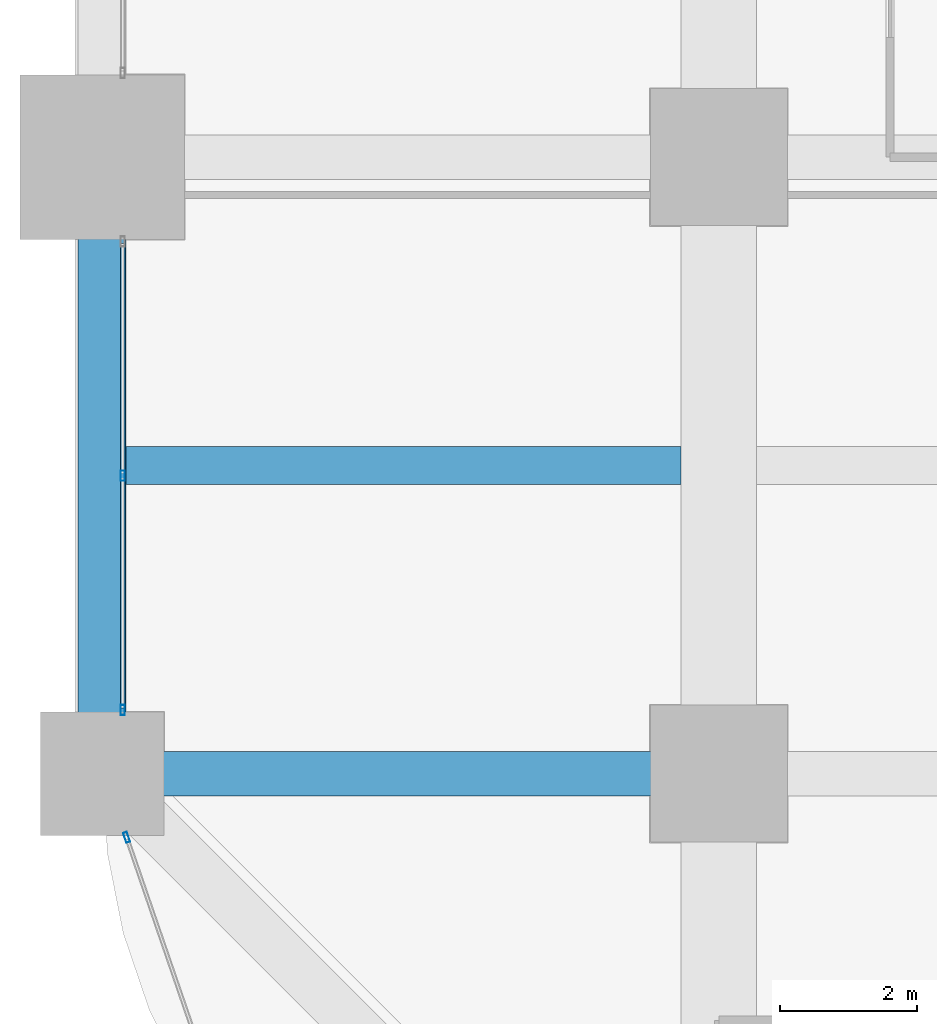
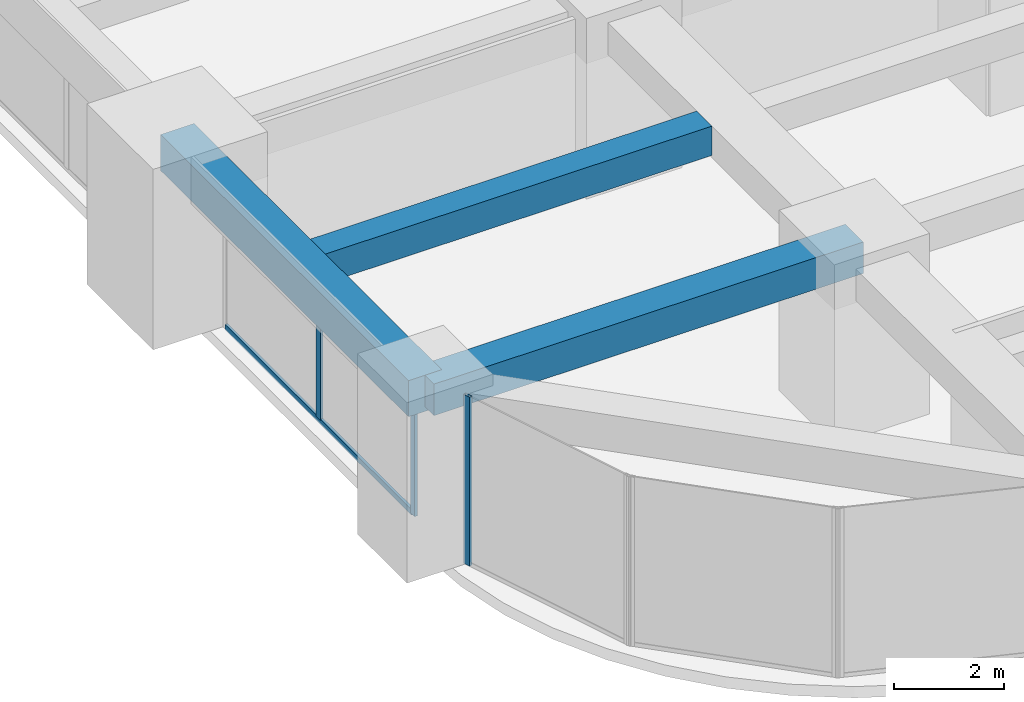
# One storey, part 4 of 41: 4 members, 3 beams, 2 elements without a shape of their own.
"""IFC4 building model written with IfcOpenShell, lengths in metres."""

from ifc_helpers import new_model, si_unit, direction, frame, origin, origin_2d, place, context, subcontext, project, spatial, rectangle, hollow_rectangle, extrude, material, material_profile, profile_set, type_object, element, aggregate, save


model = new_model("IFC4")

# Units and contexts
model_context = context("Model", 3, precision=1e-05, world=origin(), true_north=direction((0.0, 1.0)))
body_context = subcontext(model_context, "Body", "Model", "MODEL_VIEW")
ifc_project = project(units=[si_unit("LENGTHUNIT", "METRE"), si_unit("AREAUNIT", "SQUARE_METRE"), si_unit("VOLUMEUNIT", "CUBIC_METRE"), si_unit("PLANEANGLEUNIT", "RADIAN"), si_unit("MASSUNIT", "GRAM", prefix="KILO")], contexts=[model_context])

# Site, building, storey
site_placement = place(None, origin())
site = spatial("IfcSite", under=ifc_project, at=site_placement, CompositionType="ELEMENT")
building_placement = place(site_placement, origin())
building = spatial("IfcBuilding", under=site, at=building_placement, Name="Zorevar Civic Tower", CompositionType="ELEMENT")
storey_placement = place(building_placement, frame((0.0, 0.0, 101.0)))
storey = spatial("IfcBuildingStorey", under=building, at=storey_placement, Name="L24", CompositionType="ELEMENT", Elevation=101.0)

# Beams
ifc_material_1 = material(Name="Concrete C50/60", Category="concrete")
ifc_material_profile_1 = material_profile(ifc_material_1, rectangle(XDim=0.550048828125, YDim=0.64990234375, at=origin_2d()), Name="RC 550x650")
ifc_profile_set_1 = profile_set([ifc_material_profile_1], Name="Concrete C50/60")
beam_type_1 = type_object("IfcBeamType", Name="Beam RC 550x650", PredefinedType="BEAM", material=ifc_profile_set_1)
beam_1_placement = place(storey_placement, frame((0.35009765625, 13.5, 3.425048828125), z_axis=(1.0, 0.0, 0.0), x_axis=(0.0, 1.0, 0.0)))
element("IfcBeam", 1, at=beam_1_placement, inside=storey, type_object=beam_type_1, Name="Secondary beam L25", PredefinedType="BEAM", context=body_context, shape_type="SweptSolid", body=[
    extrude(rectangle(XDim=0.550048828125, YDim=0.64990234375, at=origin_2d()), origin(), (0.0, 0.0, 1.0), 8.099853515625),
])
ifc_material_2 = material(Name="Concrete C50/60", Category="concrete")
ifc_material_profile_2 = material_profile(ifc_material_2, rectangle(XDim=0.64990234375, YDim=0.699951171875, at=origin_2d()), Name="RC 650x700")
ifc_profile_set_2 = profile_set([ifc_material_profile_2], Name="Concrete C50/60")
beam_type_2 = type_object("IfcBeamType", Name="Beam RC 650x700", PredefinedType="BEAM", material=ifc_profile_set_2)
beam_2_placement = place(storey_placement, frame((0.0, 9.0, 3.39990234375), z_axis=(1.0, 0.0, 0.0), x_axis=(0.0, 1.0, 0.0)))
element("IfcBeam", 2, at=beam_2_placement, inside=storey, type_object=beam_type_2, Name="Girder L25", PredefinedType="BEAM", context=body_context, shape_type="SweptSolid", body=[
    extrude(rectangle(XDim=0.64990234375, YDim=0.699951171875, at=origin_2d()), origin(), (0.0, 0.0, 1.0), 9.0),
])

# Curtain wall, members
ifc_material_3 = material(Name="Dark grey solar-control glass in black aluminium frame", Category="aluminium")
curtain_wall_type = type_object("IfcCurtainWallType", Name="Curtain wall CW3 mid zone", PredefinedType="NOTDEFINED", material=ifc_material_3)
curtain_wall_1_placement = place(storey_placement, origin())
curtain_wall_1 = element("IfcCurtainWall", 3, at=curtain_wall_1_placement, inside=storey, type_object=curtain_wall_type, Name="CW3 L24", PredefinedType="NOTDEFINED")
ifc_material_4 = material(Name="Aluminium, black anodised", Category="aluminium")
ifc_material_profile_3 = material_profile(ifc_material_4, hollow_rectangle(XDim=0.06005859375, YDim=0.14990234375, WallThickness=0.00390625, at=origin_2d()), Name="AL 150x60x4")
ifc_profile_set_3 = profile_set([ifc_material_profile_3], Name="Aluminium, black anodised")
member_type_1 = type_object("IfcMemberType", Name="CW3 mullion AL 150x60x4", PredefinedType="MULLION", material=ifc_profile_set_3)
member_1_placement = place(storey_placement, frame((0.300048828125, 9.929931640625, 0.0), z_axis=(0.0, 0.0, 1.0), x_axis=(-1.0, 0.0, 0.0)))
member_1 = element("IfcMember", 4, at=member_1_placement, type_object=member_type_1, Name="CW3 mullion 1", PredefinedType="MULLION", context=body_context, shape_type="SweptSolid", body=[
    extrude(hollow_rectangle(XDim=0.06005859375, YDim=0.14990234375, WallThickness=0.00390625, at=origin_2d()), origin(), (0.0, 0.0, 1.0), 2.949951171875),
])
member_2_placement = place(storey_placement, frame((0.300048828125, 13.35009765625, 0.06005859375), z_axis=(0.0, 0.0, 1.0), x_axis=(-1.0, 0.0, 0.0)))
member_2 = element("IfcMember", 5, at=member_2_placement, type_object=member_type_1, Name="CW3 mullion 2", PredefinedType="MULLION", context=body_context, shape_type="SweptSolid", body=[
    extrude(hollow_rectangle(XDim=0.06005859375, YDim=0.14990234375, WallThickness=0.00390625, at=origin_2d()), origin(), (0.0, 0.0, 1.0), 2.889892578125),
])

# Curtain wall, member
curtain_wall_2_placement = place(storey_placement, origin())
curtain_wall_2 = element("IfcCurtainWall", 6, at=curtain_wall_2_placement, inside=storey, type_object=curtain_wall_type, Name="CW3 L24", PredefinedType="NOTDEFINED")
member_3_placement = place(storey_placement, frame((0.3564453125, 8.071533203125, 0.0), z_axis=(0.0, 0.0, 1.0), x_axis=(0.945755772794, 0.324878466857, 0.0)))
member_3 = element("IfcMember", 7, at=member_3_placement, type_object=member_type_1, Name="CW3 mullion 1", PredefinedType="MULLION", context=body_context, shape_type="SweptSolid", body=[
    extrude(hollow_rectangle(XDim=0.06005859375, YDim=0.14990234375, WallThickness=0.00390625, at=origin_2d()), origin(), (0.0, 0.0, 1.0), 3.75),
])
aggregate(curtain_wall_2, [member_3])

# Member
ifc_material_5 = material(Name="Aluminium, black anodised", Category="aluminium")
ifc_material_profile_4 = material_profile(ifc_material_5, hollow_rectangle(XDim=0.06005859375, YDim=0.1201171875, WallThickness=0.0029296875, at=origin_2d()), Name="AL 120x60x3")
ifc_profile_set_4 = profile_set([ifc_material_profile_4], Name="Aluminium, black anodised")
member_type_2 = type_object("IfcMemberType", Name="CW3 transom AL 120x60x3", PredefinedType="USERDEFINED", material=ifc_profile_set_4)
member_4_placement = place(storey_placement, frame((0.300048828125, 9.9599609375, 0.030029296875), z_axis=(0.0, 1.0, 0.0), x_axis=(-1.0, 0.0, 0.0)))
member_4 = element("IfcMember", 8, at=member_4_placement, type_object=member_type_2, Name="CW3 sill transom", ObjectType="TRANSOM", PredefinedType="USERDEFINED", context=body_context, shape_type="SweptSolid", body=[
    extrude(hollow_rectangle(XDim=0.06005859375, YDim=0.1201171875, WallThickness=0.0029296875, at=origin_2d()), origin(), (0.0, 0.0, 1.0), 6.780029296875),
])

aggregate(curtain_wall_1, [member_1, member_2, member_4])

# Beam
ifc_material_6 = material(Name="Concrete C50/60", Category="concrete")
ifc_material_profile_5 = material_profile(ifc_material_6, rectangle(XDim=0.699951171875, YDim=0.800048828125, at=origin_2d()), Name="RC 700x800")
ifc_profile_set_5 = profile_set([ifc_material_profile_5], Name="Concrete C50/60")
beam_type_3 = type_object("IfcBeamType", Name="Edge beam RC 700x800", PredefinedType="SPANDREL", material=ifc_profile_set_5)
beam_3_placement = place(storey_placement, frame((0.0, 9.0, 3.35009765625), z_axis=(0.0, 1.0, 0.0), x_axis=(-1.0, 0.0, 0.0)))
element("IfcBeam", 9, at=beam_3_placement, inside=storey, type_object=beam_type_3, Name="Edge beam L25", PredefinedType="SPANDREL", context=body_context, shape_type="SweptSolid", body=[
    extrude(rectangle(XDim=0.699951171875, YDim=0.800048828125, at=origin_2d()), origin(), (0.0, 0.0, 1.0), 9.0),
])

save(model, "model.ifc")
